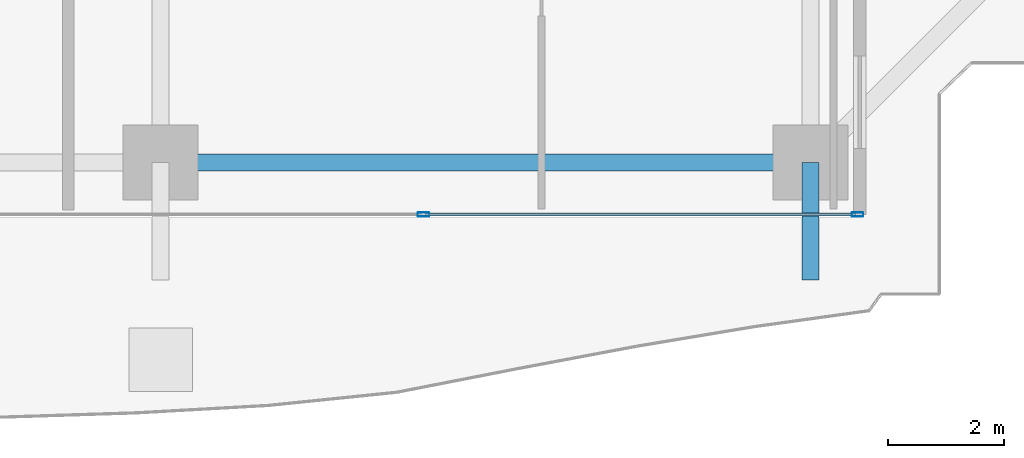
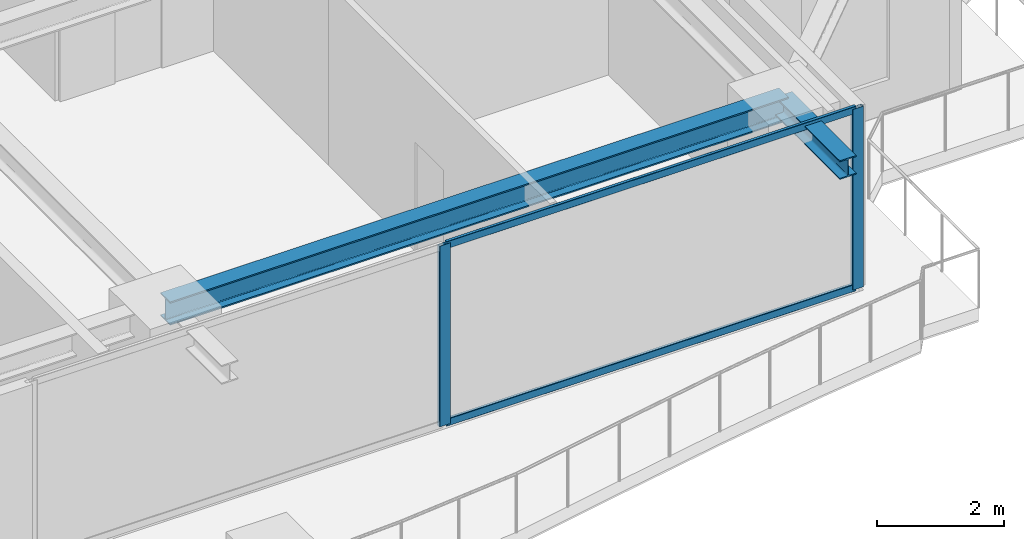
# One storey, part 11 of 38: 4 members, 2 beams, 1 element without a shape of its own.
"""IFC4 building model written with IfcOpenShell, lengths in metres."""

from ifc_helpers import new_model, si_unit, direction, frame, origin, origin_2d, place, context, subcontext, project, spatial, hollow_rectangle, i_section, extrude, source, transform, mapped, material, layer, layer_set, material_profile, profile_set, type_object, element, aggregate, save


model = new_model("IFC4")

# Units and contexts
model_context = context("Model", 3, precision=1e-05, world=origin(), true_north=direction((0.0, 1.0)))
body_context = subcontext(model_context, "Body", "Model", "MODEL_VIEW")
ifc_project = project(units=[si_unit("LENGTHUNIT", "METRE"), si_unit("AREAUNIT", "SQUARE_METRE"), si_unit("VOLUMEUNIT", "CUBIC_METRE"), si_unit("PLANEANGLEUNIT", "RADIAN"), si_unit("MASSUNIT", "GRAM", prefix="KILO")], contexts=[model_context])

# Site, building, storey
site_placement = place(None, origin())
site = spatial("IfcSite", under=ifc_project, at=site_placement, CompositionType="ELEMENT")
building_placement = place(site_placement, origin())
building = spatial("IfcBuilding", under=site, at=building_placement, Name="Serunith Strait Residences", CompositionType="ELEMENT")
storey_placement = place(building_placement, frame((0.0, 0.0, 176.39990234375)))
storey = spatial("IfcBuildingStorey", under=building, at=storey_placement, Name="L44", CompositionType="ELEMENT", Elevation=176.39990234375)

# Beams
ifc_material_1 = material(Name="Steel S355J2", Category="steel")
ifc_material_profile_1 = material_profile(ifc_material_1, i_section(OverallWidth=0.300048828125, OverallDepth=0.449951171875, WebThickness=0.013916015625, FlangeThickness=0.02587890625, FilletRadius=0.027099609375, at=origin_2d()), Name="HEB 450")
ifc_profile_set_1 = profile_set([ifc_material_profile_1], Name="Steel S355J2")
beam_type_1 = type_object("IfcBeamType", Name="BM-HEB450", PredefinedType="BEAM", material=ifc_profile_set_1)
shared_shape_1 = source(origin(), body_context, "Body", "SweptSolid", [
    extrude(i_section(OverallWidth=0.300048828125, OverallDepth=0.449951171875, WebThickness=0.013916015625, FlangeThickness=0.02587890625, FilletRadius=0.027099609375, at=origin_2d()), origin(), (0.0, 0.0, 1.0), 11.25),
])
beam_1_placement = place(storey_placement, frame((36.89990234375, 2.300048828125, 3.26220703125), z_axis=(1.0, 0.0, 0.0), x_axis=(0.0, 1.0, 0.0)))
element("IfcBeam", 1, at=beam_1_placement, inside=storey, type_object=beam_type_1, Name="L44 Perimeter Ring Beam 03", PredefinedType="BEAM", context=body_context, shape_type="MappedRepresentation", body=[
    mapped(shared_shape_1, transform((0.0, 0.0, 0.0), scale=1.0)),
])
ifc_material_profile_2 = material_profile(ifc_material_1, i_section(OverallWidth=0.300048828125, OverallDepth=0.360107421875, WebThickness=0.012451171875, FlangeThickness=0.0224609375, FilletRadius=0.027099609375, at=origin_2d()), Name="HEB 360")
ifc_profile_set_2 = profile_set([ifc_material_profile_2], Name="Steel S355J2")
beam_type_2 = type_object("IfcBeamType", Name="BM-HEB360", PredefinedType="BEAM", material=ifc_profile_set_2)
shared_shape_2 = source(origin(), body_context, "Body", "SweptSolid", [
    extrude(i_section(OverallWidth=0.300048828125, OverallDepth=0.360107421875, WebThickness=0.012451171875, FlangeThickness=0.0224609375, FilletRadius=0.027099609375, at=origin_2d()), origin(), (0.0, 0.0, 1.0), 2.030029296875),
])
beam_2_placement = place(storey_placement, frame((48.14990234375, 2.300048828125, 3.277099609375), z_axis=(0.0, -1.0, 0.0), x_axis=(1.0, 0.0, 0.0)))
element("IfcBeam", 2, at=beam_2_placement, inside=storey, type_object=beam_type_2, Name="L45 Cantilevered Balcony Rib TC-S4", PredefinedType="BEAM", context=body_context, shape_type="MappedRepresentation", body=[
    mapped(shared_shape_2, transform((0.0, 0.0, 0.0), scale=1.0)),
])

# Curtain wall, members
ifc_material_2 = material(Name="Pale-Champagne Anodised Aluminium", Category="aluminium")
ifc_layer = layer(ifc_material_2, 0.199951171875, Name="Pale-Champagne Anodised Aluminium")
ifc_layer_set = layer_set([ifc_layer], Name="Pale-Champagne Anodised Aluminium")
curtain_wall_type = type_object("IfcCurtainWallType", Name="CW-SYS2", PredefinedType="NOTDEFINED", material=ifc_layer_set)
curtain_wall_placement = place(storey_placement, origin())
curtain_wall = element("IfcCurtainWall", 3, at=curtain_wall_placement, inside=storey, type_object=curtain_wall_type, Name="L44 S Unitised Fritted Curtain Wall", PredefinedType="NOTDEFINED")
ifc_material_profile_3 = material_profile(ifc_material_2, hollow_rectangle(XDim=0.070068359375, YDim=0.199951171875, WallThickness=0.00390625, InnerFilletRadius=0.006103515625, OuterFilletRadius=0.010009765625, at=origin_2d()), Name="ALU 200x70x4")
ifc_profile_set_3 = profile_set([ifc_material_profile_3], Name="Pale-Champagne Anodised Aluminium")
member_type_1 = type_object("IfcMemberType", Name="CW-SYS2-MULL", PredefinedType="MULLION", material=ifc_profile_set_3)
shared_shape_3 = source(origin(), body_context, "Body", "SweptSolid", [
    extrude(hollow_rectangle(XDim=0.070068359375, YDim=0.199951171875, WallThickness=0.00390625, InnerFilletRadius=0.006103515625, OuterFilletRadius=0.010009765625, at=origin_2d()), origin(), (0.0, 0.0, 1.0), 3.47509765625),
])
member_1_placement = place(storey_placement, frame((41.449951171875, 1.39990234375, 0.0), z_axis=(0.0, 0.0, 1.0), x_axis=(0.0, 1.0, 0.0)))
member_1 = element("IfcMember", 4, at=member_1_placement, type_object=member_type_1, Name="CW-2 mullion 2", PredefinedType="MULLION", context=body_context, shape_type="MappedRepresentation", body=[
    mapped(shared_shape_3, transform((0.0, 0.0, 0.0), scale=1.0)),
])
member_2_placement = place(storey_placement, frame((48.965087890625, 1.39990234375, 0.0), z_axis=(0.0, 0.0, 1.0), x_axis=(0.0, 1.0, 0.0)))
member_2 = element("IfcMember", 5, at=member_2_placement, type_object=member_type_1, Name="CW-2 mullion 3", PredefinedType="MULLION", context=body_context, shape_type="MappedRepresentation", body=[
    mapped(shared_shape_3, transform((0.0, 0.0, 0.0), scale=1.0)),
])
ifc_material_profile_4 = material_profile(ifc_material_2, hollow_rectangle(XDim=0.06005859375, YDim=0.139892578125, WallThickness=0.00341796875, InnerFilletRadius=0.00537109375, OuterFilletRadius=0.0087890625, at=origin_2d()), Name="ALU 140x60x3.5")
ifc_profile_set_4 = profile_set([ifc_material_profile_4], Name="Pale-Champagne Anodised Aluminium")
member_type_2 = type_object("IfcMemberType", Name="CW-SYS2-TRAN", PredefinedType="USERDEFINED", material=ifc_profile_set_4)
shared_shape_4 = source(origin(), body_context, "Body", "SweptSolid", [
    extrude(hollow_rectangle(XDim=0.06005859375, YDim=0.139892578125, WallThickness=0.00341796875, InnerFilletRadius=0.00537109375, OuterFilletRadius=0.0087890625, at=origin_2d()), origin(), (0.0, 0.0, 1.0), 7.44482421875),
])
member_3_placement = place(storey_placement, frame((41.485107421875, 1.39990234375, 0.030029296875), z_axis=(1.0, 0.0, 0.0), x_axis=(0.0, 1.0, 0.0)))
member_3 = element("IfcMember", 6, at=member_3_placement, type_object=member_type_2, Name="CW-2 transom 2.1", ObjectType="TRANSOM", PredefinedType="USERDEFINED", context=body_context, shape_type="MappedRepresentation", body=[
    mapped(shared_shape_4, transform((0.0, 0.0, 0.0), scale=1.0)),
])
member_4_placement = place(storey_placement, frame((41.485107421875, 1.39990234375, 3.445068359375), z_axis=(1.0, 0.0, 0.0), x_axis=(0.0, 1.0, 0.0)))
member_4 = element("IfcMember", 7, at=member_4_placement, type_object=member_type_2, Name="CW-2 transom 2.2", ObjectType="TRANSOM", PredefinedType="USERDEFINED", context=body_context, shape_type="MappedRepresentation", body=[
    mapped(shared_shape_4, transform((0.0, 0.0, 0.0), scale=1.0)),
])
aggregate(curtain_wall, [member_1, member_2, member_3, member_4])

save(model, "model.ifc")
